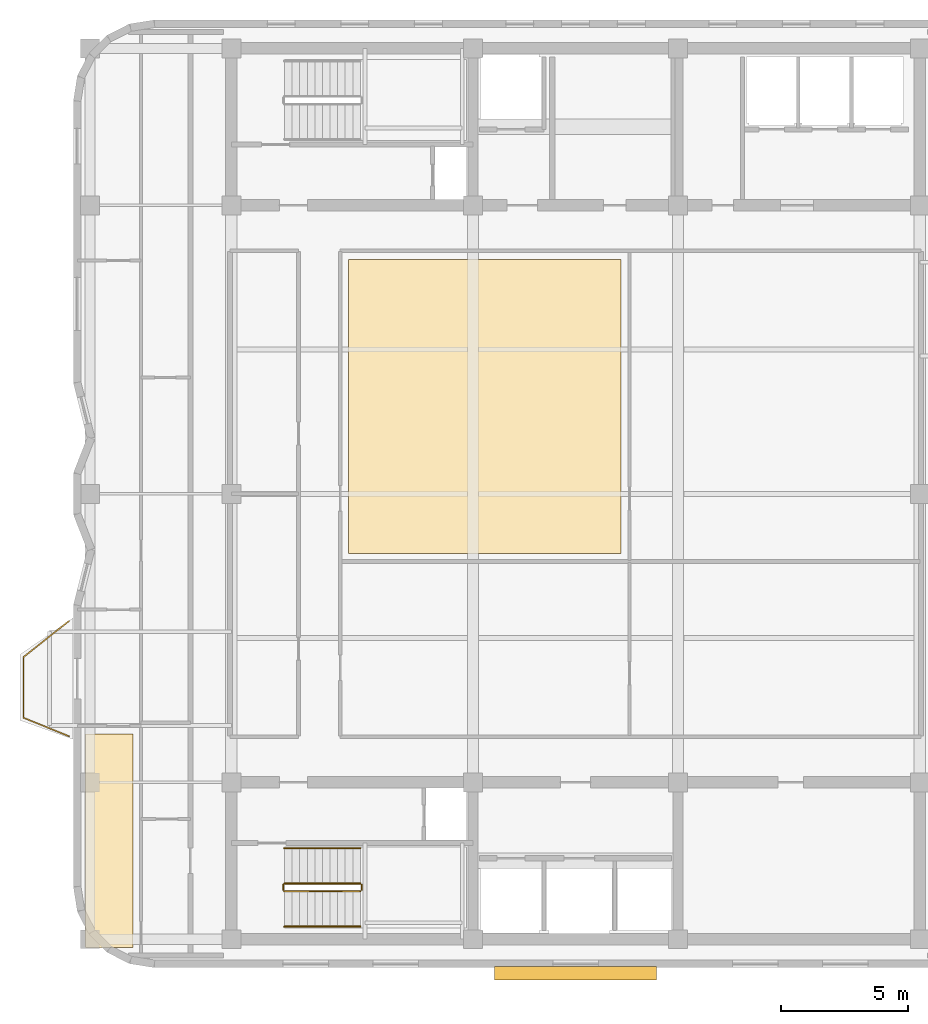
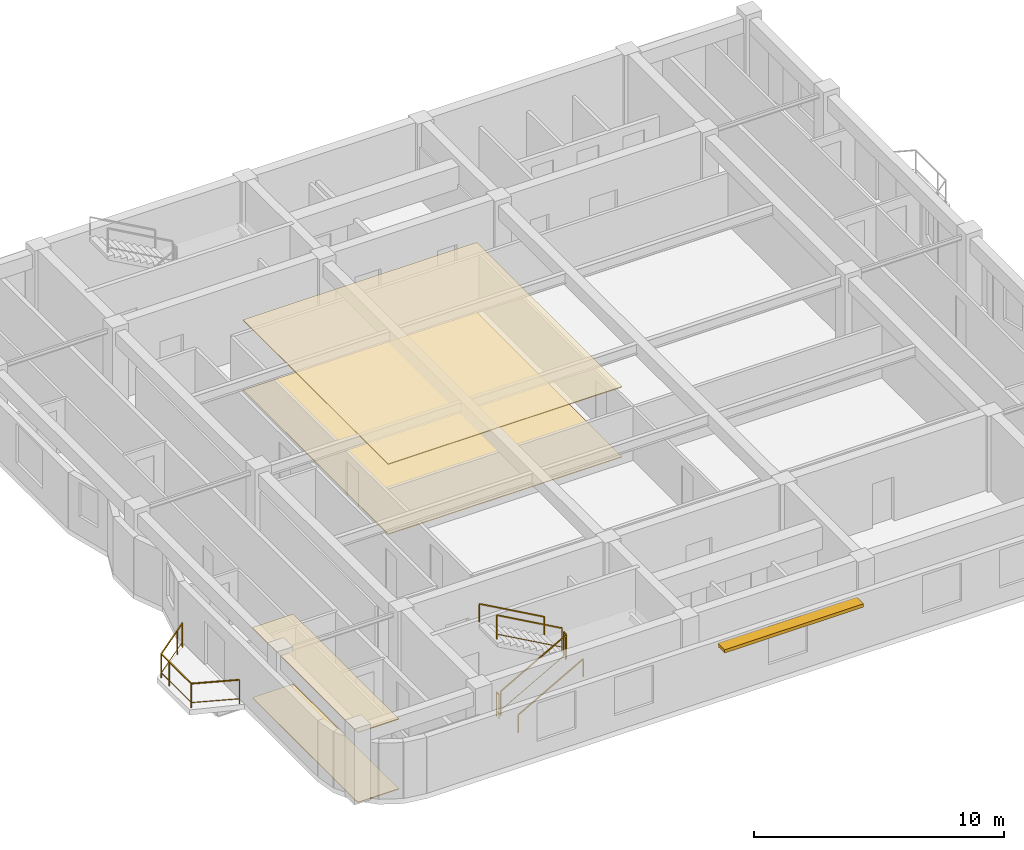
# One storey, part 7 of 8: 7 railings, 4 coverings, 1 shading device.
"""IFC4 building model written with IfcOpenShell, lengths in metres."""

from ifc_helpers import new_model, si_unit, direction, frame, origin, origin_2d, place, context, subcontext, project, spatial, polyline, rectangle, outline, extrude, material, layer, layer_set, type_object, element, save


model = new_model("IFC4")

# Units and contexts
model_context = context("Model", 3, precision=1e-05, world=origin(), true_north=direction((0.0, 1.0)))
body_context = subcontext(model_context, "Body", "Model", "MODEL_VIEW")
ifc_project = project(units=[si_unit("LENGTHUNIT", "METRE"), si_unit("AREAUNIT", "SQUARE_METRE"), si_unit("VOLUMEUNIT", "CUBIC_METRE"), si_unit("PLANEANGLEUNIT", "RADIAN"), si_unit("MASSUNIT", "GRAM", prefix="KILO")], contexts=[model_context])

# Site, building, storey
site_placement = place(None, origin())
site = spatial("IfcSite", under=ifc_project, at=site_placement, CompositionType="ELEMENT")
building_placement = place(site_placement, origin())
building = spatial("IfcBuilding", under=site, at=building_placement, Name="Svetorya Sky Lyceum", CompositionType="ELEMENT")
storey_placement = place(building_placement, frame((0.0, 0.0, 260.199951171875)))
storey = spatial("IfcBuildingStorey", under=building, at=storey_placement, Name="L65", CompositionType="ELEMENT", Elevation=260.199951171875)

# Coverings
ifc_material_1 = material(Name="Anodized aluminium linear acoustic ceiling baffle", Category="aluminium")
ifc_layer_1 = layer(ifc_material_1, 0.0400390625)
ifc_layer_set_1 = layer_set([ifc_layer_1], Name="Anodized aluminium linear acoustic ceiling baffle")
covering_type_1 = type_object("IfcCoveringType", Name="COV-CLG-BAF40", PredefinedType="CEILING", material=ifc_layer_set_1)
covering_1_placement = place(storey_placement, frame((0.0, 0.0, 3.41015625)))
element("IfcCovering", 1, at=covering_1_placement, inside=storey, type_object=covering_type_1, Name="Wellness Hall L65 North Acoustic Ceiling", PredefinedType="CEILING", context=body_context, shape_type="SweptSolid", body=[
    extrude(outline(polyline([(30.219970703125, 25.850341796875), (41.0048828125, 25.850341796875), (41.0048828125, 37.449951171875), (30.219970703125, 37.449951171875), (30.219970703125, 25.850341796875)])), origin(), (0.0, 0.0, 1.0), 0.039794921875),
])
covering_2_placement = place(storey_placement, frame((0.0, 0.0, 3.41015625)))
element("IfcCovering", 2, at=covering_2_placement, inside=storey, type_object=covering_type_1, Name="Apartment W1 Living Room Acoustic Ceiling", PredefinedType="CEILING", context=body_context, shape_type="SweptSolid", body=[
    extrude(outline(polyline([(19.830078125, 10.280029296875), (21.719970703125, 10.280029296875), (21.719970703125, 18.7099609375), (19.830078125, 18.7099609375), (19.830078125, 10.280029296875)])), origin(), (0.0, 0.0, 1.0), 0.039794921875),
])
ifc_material_2 = material(Name="Flamed granite slip-resistant lobby flooring", Category="masonry")
ifc_layer_2 = layer(ifc_material_2, 0.034912109375)
ifc_layer_set_2 = layer_set([ifc_layer_2], Name="Flamed granite slip-resistant lobby flooring")
covering_type_2 = type_object("IfcCoveringType", Name="COV-FLR-GRN", PredefinedType="FLOORING", material=ifc_layer_set_2)
covering_3_placement = place(storey_placement, origin())
element("IfcCovering", 3, at=covering_3_placement, inside=storey, type_object=covering_type_2, Name="Wellness Hall L65 North Architectural Flooring", PredefinedType="FLOORING", context=body_context, shape_type="SweptSolid", body=[
    extrude(outline(polyline([(30.219970703125, 25.850341796875), (41.0048828125, 25.850341796875), (41.0048828125, 37.449951171875), (30.219970703125, 37.449951171875), (30.219970703125, 25.850341796875)])), origin(), (0.0, 0.0, 1.0), 0.03515625),
])
covering_4_placement = place(storey_placement, origin())
element("IfcCovering", 4, at=covering_4_placement, inside=storey, type_object=covering_type_2, Name="Apartment W1 Living Room Architectural Flooring", PredefinedType="FLOORING", context=body_context, shape_type="SweptSolid", body=[
    extrude(outline(polyline([(19.830078125, 10.280029296875), (21.719970703125, 10.280029296875), (21.719970703125, 18.7099609375), (19.830078125, 18.7099609375), (19.830078125, 10.280029296875)])), origin(), (0.0, 0.0, 1.0), 0.03515625),
])

# Railings
ifc_material_3 = material(Name="Laminated safety glass and stainless AISI 316", Category="glass")
railing_type_1 = type_object("IfcRailingType", Name="RL-BAL-1200", PredefinedType="BALUSTRADE", material=ifc_material_3)
railing_1_placement = place(storey_placement, frame((19.18994140625, 18.6201171875, 0.0)))
element("IfcRailing", 5, at=railing_1_placement, inside=storey, type_object=railing_type_1, Name="L65 Balcony Balustrade BAL-W1", PredefinedType="BALUSTRADE", context=body_context, shape_type="SweptSolid", body=[
    extrude(rectangle(XDim=0.048095703125, YDim=0.048095703125, at=origin_2d()), frame((0.0, 0.0, 1.17578125), z_axis=(-0.926697865975, 0.375807218129, 0.0), x_axis=(-0.375807218129, -0.926697865975, 0.0)), (0.0, 0.0, 1.0), 1.9423828125),
    extrude(rectangle(XDim=0.02392578125, YDim=0.02392578125, at=origin_2d()), frame((0.0, 0.0, 0.25), z_axis=(-0.926697865975, 0.375807218129, 0.0), x_axis=(-0.375807218129, -0.926697865975, 0.0)), (0.0, 0.0, 1.0), 1.9423828125),
    extrude(rectangle(XDim=0.048095703125, YDim=0.048095703125, at=origin_2d()), frame((-1.800048828125, 0.72998046875, 1.17578125), z_axis=(0.0, 1.0, 0.0), x_axis=(-1.0, 0.0, 0.0)), (0.0, 0.0, 1.0), 2.39990234375),
    extrude(rectangle(XDim=0.02392578125, YDim=0.02392578125, at=origin_2d()), frame((-1.800048828125, 0.72998046875, 0.25), z_axis=(0.0, 1.0, 0.0), x_axis=(-1.0, 0.0, 0.0)), (0.0, 0.0, 1.0), 2.39990234375),
    extrude(rectangle(XDim=0.048095703125, YDim=0.048095703125, at=origin_2d()), frame((-1.800048828125, 3.1298828125, 1.17578125), z_axis=(0.783008919264, 0.622010476079, 0.0), x_axis=(-0.622010476079, 0.783008919264, 0.0)), (0.0, 0.0, 1.0), 2.298828125),
    extrude(rectangle(XDim=0.02392578125, YDim=0.02392578125, at=origin_2d()), frame((-1.800048828125, 3.1298828125, 0.25), z_axis=(0.783008919264, 0.622010476079, 0.0), x_axis=(-0.622010476079, 0.783008919264, 0.0)), (0.0, 0.0, 1.0), 2.298828125),
    extrude(rectangle(XDim=0.0419921875, YDim=0.0419921875, at=origin_2d()), origin(), (0.0, 0.0, 1.0), 1.15185546875),
    extrude(rectangle(XDim=0.0419921875, YDim=0.0419921875, at=origin_2d()), frame((-1.800048828125, 0.72998046875, 0.0)), (0.0, 0.0, 1.0), 1.15185546875),
    extrude(rectangle(XDim=0.0419921875, YDim=0.0419921875, at=origin_2d()), frame((-1.800048828125, 2.47998046875, 0.0)), (0.0, 0.0, 1.0), 1.15185546875),
    extrude(rectangle(XDim=0.0419921875, YDim=0.0419921875, at=origin_2d()), frame((-1.800048828125, 3.1298828125, 0.0)), (0.0, 0.0, 1.0), 1.15185546875),
    extrude(rectangle(XDim=0.0419921875, YDim=0.0419921875, at=origin_2d()), frame((-0.4296875, 4.218505859375, 0.0)), (0.0, 0.0, 1.0), 1.15185546875),
    extrude(rectangle(XDim=0.0419921875, YDim=0.0419921875, at=origin_2d()), frame((0.0, 4.559814453125, 0.0)), (0.0, 0.0, 1.0), 1.15185546875),
])
ifc_material_4 = material(Name="Painted galvanized stair well guard")
railing_type_2 = type_object("IfcRailingType", Name="RL-STR-GUARD-1200", PredefinedType="GUARDRAIL", material=ifc_material_4)
railing_2_placement = place(storey_placement, frame((27.699951171875, 12.5, 0.168212890625)))
element("IfcRailing", 6, at=railing_2_placement, inside=storey, type_object=railing_type_2, Name="L65 ST-S stair guard 1", PredefinedType="GUARDRAIL", context=body_context, shape_type="SweptSolid", body=[
    extrude(rectangle(XDim=0.048095703125, YDim=0.048095703125, at=origin_2d()), frame((0.0, 0.0, 1.17578125), z_axis=(0.872272294576, 0.0, 0.489020494575), x_axis=(0.0, 1.0, 0.0)), (0.0, 0.0, 1.0), 3.439208984375),
    extrude(rectangle(XDim=0.02392578125, YDim=0.02392578125, at=origin_2d()), frame((0.0, 0.0, 0.25), z_axis=(0.872272294576, 0.0, 0.489020494575), x_axis=(0.0, 1.0, 0.0)), (0.0, 0.0, 1.0), 3.439208984375),
    extrude(rectangle(XDim=0.0419921875, YDim=0.0419921875, at=origin_2d()), origin(), (0.0, 0.0, 1.0), 1.15185546875),
    extrude(rectangle(XDim=0.0419921875, YDim=0.0419921875, at=origin_2d()), frame((3.0, 0.0, 1.681884765625)), (0.0, 0.0, 1.0), 1.15185546875),
])
railing_3_placement = place(storey_placement, frame((30.75, 12.550048828125, 1.85009765625)))
element("IfcRailing", 7, at=railing_3_placement, inside=storey, type_object=railing_type_2, Name="L65 ST-S stair guard 2", PredefinedType="GUARDRAIL", context=body_context, shape_type="SweptSolid", body=[
    extrude(rectangle(XDim=0.048095703125, YDim=0.048095703125, at=origin_2d()), frame((0.0, 0.0, 1.17578125), z_axis=(0.0, 1.0, 0.0), x_axis=(-1.0, 0.0, 0.0)), (0.0, 0.0, 1.0), 0.199951171875),
    extrude(rectangle(XDim=0.02392578125, YDim=0.02392578125, at=origin_2d()), frame((0.0, 0.0, 0.25), z_axis=(0.0, 1.0, 0.0), x_axis=(-1.0, 0.0, 0.0)), (0.0, 0.0, 1.0), 0.199951171875),
    extrude(rectangle(XDim=0.0419921875, YDim=0.0419921875, at=origin_2d()), origin(), (0.0, 0.0, 1.0), 1.15185546875),
    extrude(rectangle(XDim=0.0419921875, YDim=0.0419921875, at=origin_2d()), frame((0.0, 0.199951171875, 0.0)), (0.0, 0.0, 1.0), 1.15185546875),
])
railing_4_placement = place(storey_placement, frame((30.699951171875, 12.800048828125, 2.018310546875)))
element("IfcRailing", 8, at=railing_4_placement, inside=storey, type_object=railing_type_2, Name="L65 ST-S stair guard 3", PredefinedType="GUARDRAIL", context=body_context, shape_type="SweptSolid", body=[
    extrude(rectangle(XDim=0.048095703125, YDim=0.048095703125, at=origin_2d()), frame((0.0, 0.0, 1.17578125), z_axis=(-0.872302573547, 0.0, 0.488966481656), x_axis=(0.0, -1.0, 0.0)), (0.0, 0.0, 1.0), 3.439208984375),
    extrude(rectangle(XDim=0.02392578125, YDim=0.02392578125, at=origin_2d()), frame((0.0, 0.0, 0.25), z_axis=(-0.872302573547, 0.0, 0.488966481656), x_axis=(0.0, -1.0, 0.0)), (0.0, 0.0, 1.0), 3.439208984375),
    extrude(rectangle(XDim=0.0419921875, YDim=0.0419921875, at=origin_2d()), origin(), (0.0, 0.0, 1.0), 1.15185546875),
    extrude(rectangle(XDim=0.0419921875, YDim=0.0419921875, at=origin_2d()), frame((-3.0, 0.0, 1.681640625)), (0.0, 0.0, 1.0), 1.15185546875),
])
railing_5_placement = place(storey_placement, frame((27.64990234375, 12.550048828125, 0.0)))
element("IfcRailing", 9, at=railing_5_placement, inside=storey, type_object=railing_type_2, Name="L65 ST-S stair guard 4", PredefinedType="GUARDRAIL", context=body_context, shape_type="SweptSolid", body=[
    extrude(rectangle(XDim=0.048095703125, YDim=0.048095703125, at=origin_2d()), frame((0.0, 0.0, 1.17578125), z_axis=(0.0, 1.0, 0.0), x_axis=(-1.0, 0.0, 0.0)), (0.0, 0.0, 1.0), 0.199951171875),
    extrude(rectangle(XDim=0.02392578125, YDim=0.02392578125, at=origin_2d()), frame((0.0, 0.0, 0.25), z_axis=(0.0, 1.0, 0.0), x_axis=(-1.0, 0.0, 0.0)), (0.0, 0.0, 1.0), 0.199951171875),
    extrude(rectangle(XDim=0.0419921875, YDim=0.0419921875, at=origin_2d()), origin(), (0.0, 0.0, 1.0), 1.15185546875),
    extrude(rectangle(XDim=0.0419921875, YDim=0.0419921875, at=origin_2d()), frame((0.0, 0.199951171875, 0.0)), (0.0, 0.0, 1.0), 1.15185546875),
])
ifc_material_5 = material(Name="Brushed stainless AISI 304 stair handrail")
railing_type_3 = type_object("IfcRailingType", Name="RL-STR-HAND-920", PredefinedType="HANDRAIL", material=ifc_material_5)
railing_6_placement = place(storey_placement, frame((27.699951171875, 11.10009765625, 0.168212890625)))
element("IfcRailing", 10, at=railing_6_placement, inside=storey, type_object=railing_type_3, Name="L65 ST-S stair handrail 1", PredefinedType="HANDRAIL", context=body_context, shape_type="SweptSolid", body=[
    extrude(rectangle(XDim=0.048095703125, YDim=0.048095703125, at=origin_2d()), frame((0.0, 0.0, 0.8759765625), z_axis=(0.872272294576, 0.0, 0.489020494575), x_axis=(0.0, 1.0, 0.0)), (0.0, 0.0, 1.0), 3.439208984375),
    extrude(rectangle(XDim=0.0419921875, YDim=0.0419921875, at=origin_2d()), origin(), (0.0, 0.0, 1.0), 0.851806640625),
    extrude(rectangle(XDim=0.0419921875, YDim=0.0419921875, at=origin_2d()), frame((3.0, 0.0, 1.681884765625)), (0.0, 0.0, 1.0), 0.851806640625),
])
railing_7_placement = place(storey_placement, frame((30.699951171875, 14.199951171875, 2.018310546875)))
element("IfcRailing", 11, at=railing_7_placement, inside=storey, type_object=railing_type_3, Name="L65 ST-S stair handrail 2", PredefinedType="HANDRAIL", context=body_context, shape_type="SweptSolid", body=[
    extrude(rectangle(XDim=0.048095703125, YDim=0.048095703125, at=origin_2d()), frame((0.0, 0.0, 0.8759765625), z_axis=(-0.872302573547, 0.0, 0.488966481656), x_axis=(0.0, -1.0, 0.0)), (0.0, 0.0, 1.0), 3.439208984375),
    extrude(rectangle(XDim=0.0419921875, YDim=0.0419921875, at=origin_2d()), origin(), (0.0, 0.0, 1.0), 0.851806640625),
    extrude(rectangle(XDim=0.0419921875, YDim=0.0419921875, at=origin_2d()), frame((-3.0, 0.0, 1.681640625)), (0.0, 0.0, 1.0), 0.851806640625),
])

# Shading device
ifc_material_6 = material(Name="Champagne-anodized extruded aluminium sunshade", Category="aluminium")
ifc_layer_3 = layer(ifc_material_6, 0.159912109375)
ifc_layer_set_3 = layer_set([ifc_layer_3], Name="Champagne-anodized extruded aluminium sunshade")
shading_device_type = type_object("IfcShadingDeviceType", Name="SHD-LVR-540", PredefinedType="AWNING", material=ifc_layer_set_3)
shading_device_placement = place(storey_placement, frame((39.199951171875, 9.260009765625, 2.43017578125), z_axis=(0.0, 0.0, 1.0), x_axis=(1.0, 0.0, 0.0)))
element("IfcShadingDevice", 12, at=shading_device_placement, inside=storey, type_object=shading_device_type, Name="L65 Solar Brise-Soleil SHD-1.6M", PredefinedType="AWNING", context=body_context, shape_type="SweptSolid", body=[
    extrude(rectangle(XDim=6.39990234375, YDim=0.5400390625, at=origin_2d()), origin(), (0.0, 0.0, 1.0), 0.159912109375),
])

save(model, "model.ifc")
